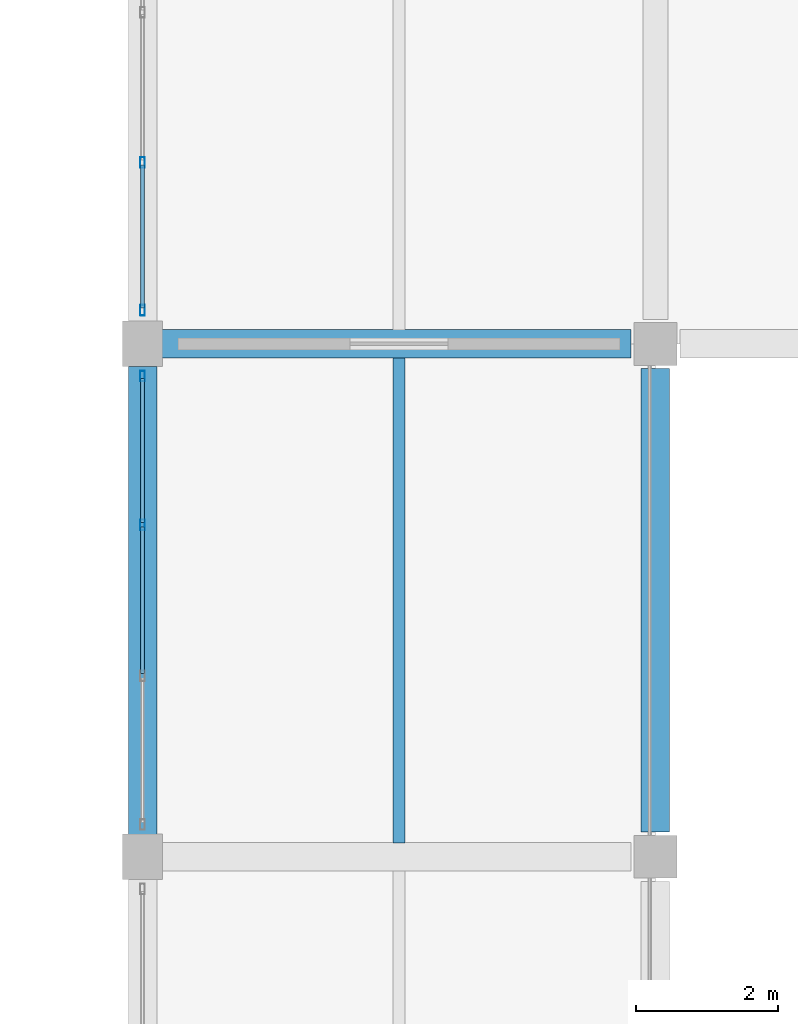
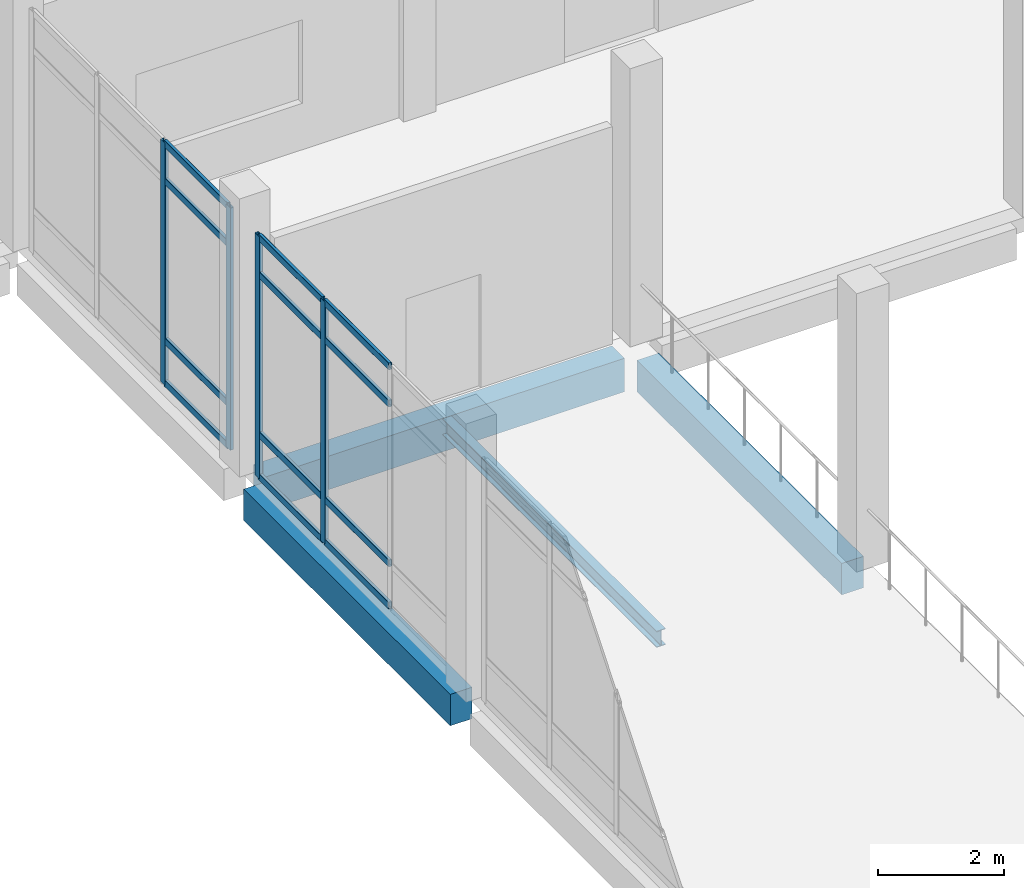
# One storey, part 115 of 180: 16 members, 4 beams, 2 elements without a shape of their own.
"""IFC4 building model written with IfcOpenShell, lengths in metres."""

from ifc_helpers import new_model, si_unit, direction, frame, origin, origin_2d, place, context, subcontext, project, spatial, rectangle, hollow_rectangle, i_section, extrude, material, material_profile, profile_set, type_object, element, aggregate, save


model = new_model("IFC4")

# Units and contexts
model_context = context("Model", 3, precision=1e-05, world=origin(), true_north=direction((0.0, 1.0)))
body_context = subcontext(model_context, "Body", "Model", "MODEL_VIEW")
ifc_project = project(units=[si_unit("LENGTHUNIT", "METRE"), si_unit("AREAUNIT", "SQUARE_METRE"), si_unit("VOLUMEUNIT", "CUBIC_METRE"), si_unit("PLANEANGLEUNIT", "RADIAN"), si_unit("MASSUNIT", "GRAM", prefix="KILO")], contexts=[model_context])

# Site, building, storey
site_placement = place(None, origin())
site = spatial("IfcSite", under=ifc_project, at=site_placement, CompositionType="ELEMENT")
building_placement = place(site_placement, origin())
building = spatial("IfcBuilding", under=site, at=building_placement, Name="Lusvemor Sports Hall", CompositionType="ELEMENT")
storey_placement = place(building_placement, frame((0.0, 0.0, 5.39990234375)))
storey = spatial("IfcBuildingStorey", under=building, at=storey_placement, Name="L01", CompositionType="ELEMENT", Elevation=5.39990234375)

# Beam
ifc_material_1 = material(Name="Concrete C40/50", Category="concrete")
ifc_material_profile_1 = material_profile(ifc_material_1, rectangle(XDim=0.39990234375, YDim=0.64990234375, at=origin_2d()), Name="RC400x650")
ifc_profile_set_1 = profile_set([ifc_material_profile_1], Name="Concrete C40/50")
beam_type_1 = type_object("IfcBeamType", Name="BEAM_RC_650", PredefinedType="BEAM", material=ifc_profile_set_1)
beam_1_placement = place(storey_placement, frame((133.47607421875, 75.60009765625, -0.5849609375), z_axis=(1.0, 0.0, 0.0), x_axis=(0.0, 1.0, 0.0)))
element("IfcBeam", 1, at=beam_1_placement, inside=storey, type_object=beam_type_1, Name="Beam L01 K:15-16", PredefinedType="BEAM", context=body_context, shape_type="SweptSolid", body=[
    extrude(rectangle(XDim=0.39990234375, YDim=0.64990234375, at=origin_2d()), origin(), (0.0, 0.0, 1.0), 6.577880859375),
])

# Curtain wall, members
ifc_material_2 = material(Name="Thermally broken bronze-anodized aluminium", Category="aluminium")
curtain_wall_type_1 = type_object("IfcCurtainWallType", Name="CW_CLIMB_D", PredefinedType="NOTDEFINED", material=ifc_material_2)
curtain_wall_1_placement = place(storey_placement, origin())
curtain_wall_1 = element("IfcCurtainWall", 2, at=curtain_wall_1_placement, inside=storey, type_object=curtain_wall_type_1, Name="Curtain Wall CW-V3W-L01-3", PredefinedType="NOTDEFINED")
ifc_material_3 = material(Name="Thermally broken bronze-anodized aluminium", Category="aluminium")
ifc_material_profile_2 = material_profile(ifc_material_3, hollow_rectangle(XDim=0.06494140625, YDim=0.14990234375, WallThickness=0.00390625, InnerFilletRadius=0.00390625, OuterFilletRadius=0.008056640625, at=origin_2d()), Name="CWMUL150x65x4")
ifc_profile_set_2 = profile_set([ifc_material_profile_2], Name="Thermally broken bronze-anodized aluminium")
member_type_1 = type_object("IfcMemberType", Name="CW_MUL_B", PredefinedType="MULLION", material=ifc_profile_set_2)
member_1_placement = place(storey_placement, frame((133.199951171875, 73.06005859375, 0.0), z_axis=(0.0, 0.0, 1.0), x_axis=(-1.0, 0.0, 0.0)))
member_1 = element("IfcMember", 3, at=member_1_placement, type_object=member_type_1, Name="CW04 mullion 3", PredefinedType="MULLION", context=body_context, shape_type="SweptSolid", body=[
    extrude(hollow_rectangle(XDim=0.06494140625, YDim=0.14990234375, WallThickness=0.00390625, InnerFilletRadius=0.00390625, OuterFilletRadius=0.008056640625, at=origin_2d()), origin(), (0.0, 0.0, 1.0), 4.7001953125),
])
member_2_placement = place(storey_placement, frame((133.199951171875, 75.1474609375, 0.0), z_axis=(0.0, 0.0, 1.0), x_axis=(-1.0, 0.0, 0.0)))
member_2 = element("IfcMember", 4, at=member_2_placement, type_object=member_type_1, Name="CW04 mullion 4", PredefinedType="MULLION", context=body_context, shape_type="SweptSolid", body=[
    extrude(hollow_rectangle(XDim=0.06494140625, YDim=0.14990234375, WallThickness=0.00390625, InnerFilletRadius=0.00390625, OuterFilletRadius=0.008056640625, at=origin_2d()), origin(), (0.0, 0.0, 1.0), 4.7001953125),
])

ifc_material_4 = material(Name="Thermally broken bronze-anodized aluminium", Category="aluminium")
curtain_wall_type_2 = type_object("IfcCurtainWallType", Name="CW_PASSAGE_E", PredefinedType="NOTDEFINED", material=ifc_material_4)
curtain_wall_2_placement = place(storey_placement, origin())
curtain_wall_2 = element("IfcCurtainWall", 5, at=curtain_wall_2_placement, inside=storey, type_object=curtain_wall_type_2, Name="Curtain Wall CW-NLINK-133-L01", PredefinedType="NOTDEFINED")
member_3_placement = place(storey_placement, frame((133.199951171875, 76.072509765625, 0.0), z_axis=(0.0, 0.0, 1.0), x_axis=(-1.0, 0.0, 0.0)))
member_3 = element("IfcMember", 6, at=member_3_placement, type_object=member_type_1, Name="CW05 mullion 1", PredefinedType="MULLION", context=body_context, shape_type="SweptSolid", body=[
    extrude(hollow_rectangle(XDim=0.06494140625, YDim=0.14990234375, WallThickness=0.00390625, InnerFilletRadius=0.00390625, OuterFilletRadius=0.008056640625, at=origin_2d()), origin(), (0.0, 0.0, 1.0), 4.7001953125),
])
member_4_placement = place(storey_placement, frame((133.199951171875, 78.146728515625, 0.0), z_axis=(0.0, 0.0, 1.0), x_axis=(-1.0, 0.0, 0.0)))
member_4 = element("IfcMember", 7, at=member_4_placement, type_object=member_type_1, Name="CW05 mullion 2", PredefinedType="MULLION", context=body_context, shape_type="SweptSolid", body=[
    extrude(hollow_rectangle(XDim=0.06494140625, YDim=0.14990234375, WallThickness=0.00390625, InnerFilletRadius=0.00390625, OuterFilletRadius=0.008056640625, at=origin_2d()), origin(), (0.0, 0.0, 1.0), 4.7001953125),
])

# Member
ifc_material_5 = material(Name="Thermally broken bronze-anodized aluminium", Category="aluminium")
ifc_material_profile_3 = material_profile(ifc_material_5, hollow_rectangle(XDim=0.06005859375, YDim=0.135009765625, WallThickness=0.00390625, InnerFilletRadius=0.00390625, OuterFilletRadius=0.008056640625, at=origin_2d()), Name="CWTRN135x60x4")
ifc_profile_set_3 = profile_set([ifc_material_profile_3], Name="Thermally broken bronze-anodized aluminium")
member_type_2 = type_object("IfcMemberType", Name="CW_TRN_B", PredefinedType="USERDEFINED", material=ifc_profile_set_3)
member_5_placement = place(storey_placement, frame((133.199951171875, 70.972412109375, 0.030029296875), z_axis=(0.0, 1.0, 0.0), x_axis=(-1.0, 0.0, 0.0)))
member_5 = element("IfcMember", 8, at=member_5_placement, type_object=member_type_2, Name="CW04 transom 2.1", ObjectType="TRANSOM", PredefinedType="USERDEFINED", context=body_context, shape_type="SweptSolid", body=[
    extrude(hollow_rectangle(XDim=0.06005859375, YDim=0.135009765625, WallThickness=0.00390625, InnerFilletRadius=0.00390625, OuterFilletRadius=0.008056640625, at=origin_2d()), origin(), (0.0, 0.0, 1.0), 2.05517578125),
])

member_6_placement = place(storey_placement, frame((133.199951171875, 70.972412109375, 0.85009765625), z_axis=(0.0, 1.0, 0.0), x_axis=(-1.0, 0.0, 0.0)))
member_6 = element("IfcMember", 9, at=member_6_placement, type_object=member_type_2, Name="CW04 transom 2.2", ObjectType="TRANSOM", PredefinedType="USERDEFINED", context=body_context, shape_type="SweptSolid", body=[
    extrude(hollow_rectangle(XDim=0.06005859375, YDim=0.135009765625, WallThickness=0.00390625, InnerFilletRadius=0.00390625, OuterFilletRadius=0.008056640625, at=origin_2d()), origin(), (0.0, 0.0, 1.0), 2.05517578125),
])

member_7_placement = place(storey_placement, frame((133.199951171875, 70.972412109375, 3.9501953125), z_axis=(0.0, 1.0, 0.0), x_axis=(-1.0, 0.0, 0.0)))
member_7 = element("IfcMember", 10, at=member_7_placement, type_object=member_type_2, Name="CW04 transom 2.3", ObjectType="TRANSOM", PredefinedType="USERDEFINED", context=body_context, shape_type="SweptSolid", body=[
    extrude(hollow_rectangle(XDim=0.06005859375, YDim=0.135009765625, WallThickness=0.00390625, InnerFilletRadius=0.00390625, OuterFilletRadius=0.008056640625, at=origin_2d()), origin(), (0.0, 0.0, 1.0), 2.05517578125),
])

member_8_placement = place(storey_placement, frame((133.199951171875, 70.972412109375, 4.670166015625), z_axis=(0.0, 1.0, 0.0), x_axis=(-1.0, 0.0, 0.0)))
member_8 = element("IfcMember", 11, at=member_8_placement, type_object=member_type_2, Name="CW04 transom 2.4", ObjectType="TRANSOM", PredefinedType="USERDEFINED", context=body_context, shape_type="SweptSolid", body=[
    extrude(hollow_rectangle(XDim=0.06005859375, YDim=0.135009765625, WallThickness=0.00390625, InnerFilletRadius=0.00390625, OuterFilletRadius=0.008056640625, at=origin_2d()), origin(), (0.0, 0.0, 1.0), 2.05517578125),
])

member_9_placement = place(storey_placement, frame((133.199951171875, 73.092529296875, 0.030029296875), z_axis=(0.0, 1.0, 0.0), x_axis=(-1.0, 0.0, 0.0)))
member_9 = element("IfcMember", 12, at=member_9_placement, type_object=member_type_2, Name="CW04 transom 3.1", ObjectType="TRANSOM", PredefinedType="USERDEFINED", context=body_context, shape_type="SweptSolid", body=[
    extrude(hollow_rectangle(XDim=0.06005859375, YDim=0.135009765625, WallThickness=0.00390625, InnerFilletRadius=0.00390625, OuterFilletRadius=0.008056640625, at=origin_2d()), origin(), (0.0, 0.0, 1.0), 2.0224609375),
])

member_10_placement = place(storey_placement, frame((133.199951171875, 73.092529296875, 0.85009765625), z_axis=(0.0, 1.0, 0.0), x_axis=(-1.0, 0.0, 0.0)))
member_10 = element("IfcMember", 13, at=member_10_placement, type_object=member_type_2, Name="CW04 transom 3.2", ObjectType="TRANSOM", PredefinedType="USERDEFINED", context=body_context, shape_type="SweptSolid", body=[
    extrude(hollow_rectangle(XDim=0.06005859375, YDim=0.135009765625, WallThickness=0.00390625, InnerFilletRadius=0.00390625, OuterFilletRadius=0.008056640625, at=origin_2d()), origin(), (0.0, 0.0, 1.0), 2.0224609375),
])

member_11_placement = place(storey_placement, frame((133.199951171875, 73.092529296875, 3.9501953125), z_axis=(0.0, 1.0, 0.0), x_axis=(-1.0, 0.0, 0.0)))
member_11 = element("IfcMember", 14, at=member_11_placement, type_object=member_type_2, Name="CW04 transom 3.3", ObjectType="TRANSOM", PredefinedType="USERDEFINED", context=body_context, shape_type="SweptSolid", body=[
    extrude(hollow_rectangle(XDim=0.06005859375, YDim=0.135009765625, WallThickness=0.00390625, InnerFilletRadius=0.00390625, OuterFilletRadius=0.008056640625, at=origin_2d()), origin(), (0.0, 0.0, 1.0), 2.0224609375),
])

member_12_placement = place(storey_placement, frame((133.199951171875, 73.092529296875, 4.670166015625), z_axis=(0.0, 1.0, 0.0), x_axis=(-1.0, 0.0, 0.0)))
member_12 = element("IfcMember", 15, at=member_12_placement, type_object=member_type_2, Name="CW04 transom 3.4", ObjectType="TRANSOM", PredefinedType="USERDEFINED", context=body_context, shape_type="SweptSolid", body=[
    extrude(hollow_rectangle(XDim=0.06005859375, YDim=0.135009765625, WallThickness=0.00390625, InnerFilletRadius=0.00390625, OuterFilletRadius=0.008056640625, at=origin_2d()), origin(), (0.0, 0.0, 1.0), 2.0224609375),
])

aggregate(curtain_wall_1, [member_1, member_2, member_5, member_6, member_7, member_8, member_9, member_10, member_11, member_12])

member_13_placement = place(storey_placement, frame((133.199951171875, 76.10498046875, 0.030029296875), z_axis=(0.0, 1.0, 0.0), x_axis=(-1.0, 0.0, 0.0)))
member_13 = element("IfcMember", 16, at=member_13_placement, type_object=member_type_2, Name="CW05 transom 1.1", ObjectType="TRANSOM", PredefinedType="USERDEFINED", context=body_context, shape_type="SweptSolid", body=[
    extrude(hollow_rectangle(XDim=0.06005859375, YDim=0.135009765625, WallThickness=0.00390625, InnerFilletRadius=0.00390625, OuterFilletRadius=0.008056640625, at=origin_2d()), origin(), (0.0, 0.0, 1.0), 2.00927734375),
])

member_14_placement = place(storey_placement, frame((133.199951171875, 76.10498046875, 0.85009765625), z_axis=(0.0, 1.0, 0.0), x_axis=(-1.0, 0.0, 0.0)))
member_14 = element("IfcMember", 17, at=member_14_placement, type_object=member_type_2, Name="CW05 transom 1.2", ObjectType="TRANSOM", PredefinedType="USERDEFINED", context=body_context, shape_type="SweptSolid", body=[
    extrude(hollow_rectangle(XDim=0.06005859375, YDim=0.135009765625, WallThickness=0.00390625, InnerFilletRadius=0.00390625, OuterFilletRadius=0.008056640625, at=origin_2d()), origin(), (0.0, 0.0, 1.0), 2.00927734375),
])

member_15_placement = place(storey_placement, frame((133.199951171875, 76.10498046875, 3.9501953125), z_axis=(0.0, 1.0, 0.0), x_axis=(-1.0, 0.0, 0.0)))
member_15 = element("IfcMember", 18, at=member_15_placement, type_object=member_type_2, Name="CW05 transom 1.3", ObjectType="TRANSOM", PredefinedType="USERDEFINED", context=body_context, shape_type="SweptSolid", body=[
    extrude(hollow_rectangle(XDim=0.06005859375, YDim=0.135009765625, WallThickness=0.00390625, InnerFilletRadius=0.00390625, OuterFilletRadius=0.008056640625, at=origin_2d()), origin(), (0.0, 0.0, 1.0), 2.00927734375),
])

member_16_placement = place(storey_placement, frame((133.199951171875, 76.10498046875, 4.670166015625), z_axis=(0.0, 1.0, 0.0), x_axis=(-1.0, 0.0, 0.0)))
member_16 = element("IfcMember", 19, at=member_16_placement, type_object=member_type_2, Name="CW05 transom 1.4", ObjectType="TRANSOM", PredefinedType="USERDEFINED", context=body_context, shape_type="SweptSolid", body=[
    extrude(hollow_rectangle(XDim=0.06005859375, YDim=0.135009765625, WallThickness=0.00390625, InnerFilletRadius=0.00390625, OuterFilletRadius=0.008056640625, at=origin_2d()), origin(), (0.0, 0.0, 1.0), 2.00927734375),
])

aggregate(curtain_wall_2, [member_3, member_4, member_13, member_14, member_15, member_16])

# Beams
ifc_material_6 = material(Name="Steel S355", Category="steel")
ifc_material_profile_4 = material_profile(ifc_material_6, i_section(OverallWidth=0.1669921875, OverallDepth=0.31689453125, WebThickness=0.007568359375, FlangeThickness=0.01318359375, FilletRadius=0.014892578125, at=origin_2d()), Name="W310x52.0")
ifc_profile_set_4 = profile_set([ifc_material_profile_4], Name="Steel S355")
beam_type_2 = type_object("IfcBeamType", Name="JOIST_ST_310M", PredefinedType="JOIST", material=ifc_profile_set_4)
beam_2_placement = place(storey_placement, frame((136.800048828125, 68.595947265625, -0.42236328125), z_axis=(0.0, 1.0, 0.0), x_axis=(-1.0, 0.0, 0.0)))
element("IfcBeam", 20, at=beam_2_placement, inside=storey, type_object=beam_type_2, Name="Secondary Joist L01 15-16/J-K #1", PredefinedType="JOIST", context=body_context, shape_type="SweptSolid", body=[
    extrude(i_section(OverallWidth=0.1669921875, OverallDepth=0.31689453125, WebThickness=0.007568359375, FlangeThickness=0.01318359375, FilletRadius=0.014892578125, at=origin_2d()), origin(), (0.0, 0.0, 1.0), 6.80810546875),
])
ifc_material_7 = material(Name="Concrete C40/50", Category="concrete")
ifc_material_profile_5 = material_profile(ifc_material_7, rectangle(XDim=0.39990234375, YDim=0.610107421875, at=origin_2d()), Name="RC400x610")
ifc_profile_set_5 = profile_set([ifc_material_profile_5], Name="Concrete C40/50")
beam_type_3 = type_object("IfcBeamType", Name="SPAND_EXT_650", PredefinedType="SPANDREL", material=ifc_profile_set_5)
beam_3_placement = place(storey_placement, frame((133.199951171875, 68.716064453125, -0.56494140625), z_axis=(0.0, 1.0, 0.0), x_axis=(-1.0, 0.0, 0.0)))
element("IfcBeam", 21, at=beam_3_placement, inside=storey, type_object=beam_type_3, Name="Beam L01 15:J-K", PredefinedType="SPANDREL", context=body_context, shape_type="SweptSolid", body=[
    extrude(rectangle(XDim=0.39990234375, YDim=0.610107421875, at=origin_2d()), origin(), (0.0, 0.0, 1.0), 6.56787109375),
])
beam_4_placement = place(storey_placement, frame((140.39990234375, 68.74609375, -0.56494140625), z_axis=(0.0, 1.0, 0.0), x_axis=(-1.0, 0.0, 0.0)))
element("IfcBeam", 22, at=beam_4_placement, inside=storey, type_object=beam_type_3, Name="Beam L01 16:J-K", PredefinedType="SPANDREL", context=body_context, shape_type="SweptSolid", body=[
    extrude(rectangle(XDim=0.39990234375, YDim=0.610107421875, at=origin_2d()), origin(), (0.0, 0.0, 1.0), 6.5078125),
])

save(model, "model.ifc")
